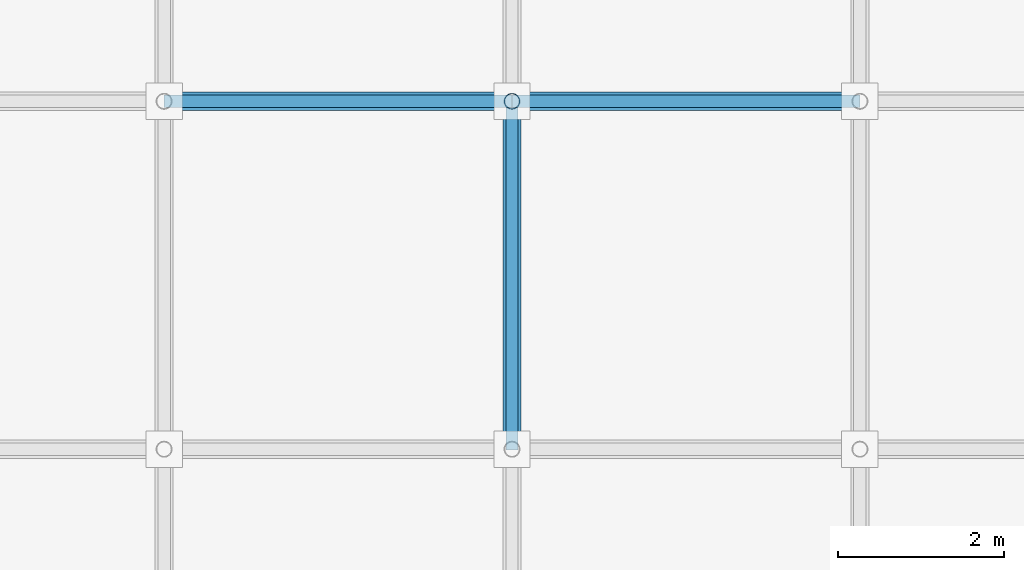
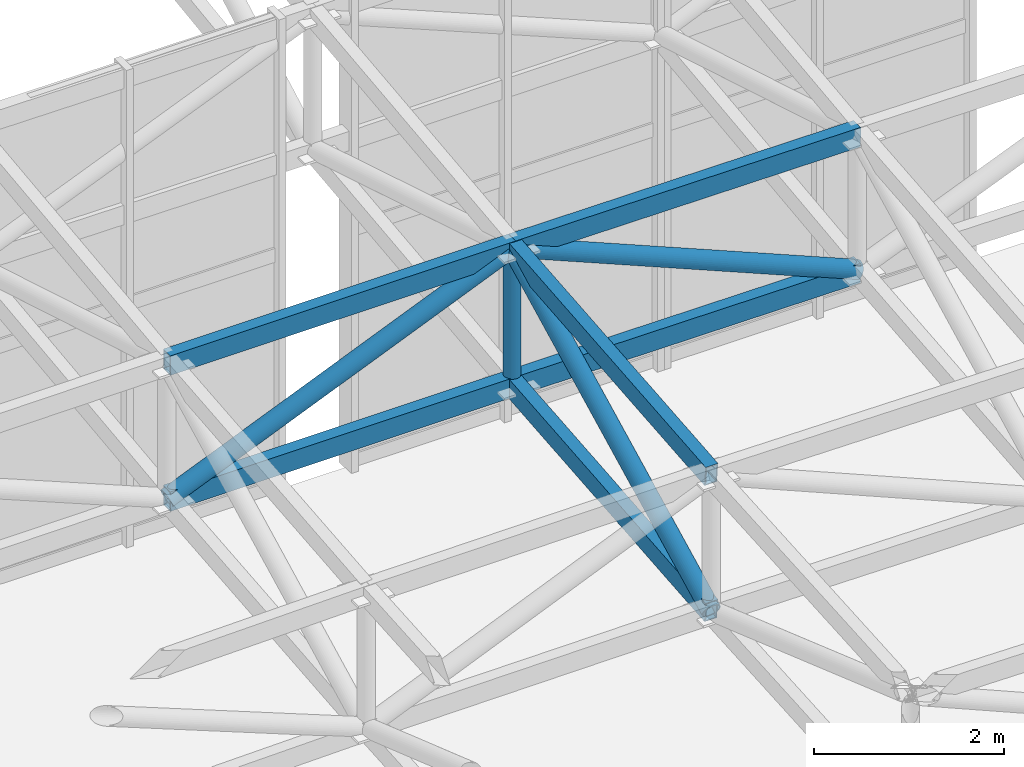
# One storey, part 29 of 132: 10 members.
"""IFC4 building model written with IfcOpenShell, lengths in metres."""

from ifc_helpers import new_model, si_unit, direction, frame, origin, origin_2d, place, context, subcontext, project, spatial, hollow_rectangle, hollow_circle, extrude, material, material_profile, profile_set, type_object, element, save


model = new_model("IFC4")

# Units and contexts
model_context = context("Model", 3, precision=1e-05, world=origin(), true_north=direction((0.0, 1.0)))
body_context = subcontext(model_context, "Body", "Model", "MODEL_VIEW")
ifc_project = project(units=[si_unit("LENGTHUNIT", "METRE"), si_unit("AREAUNIT", "SQUARE_METRE"), si_unit("VOLUMEUNIT", "CUBIC_METRE"), si_unit("PLANEANGLEUNIT", "RADIAN"), si_unit("MASSUNIT", "GRAM", prefix="KILO")], contexts=[model_context])

# Site, building, storey
site_placement = place(None, origin())
site = spatial("IfcSite", under=ifc_project, at=site_placement, CompositionType="ELEMENT")
building_placement = place(site_placement, origin())
building = spatial("IfcBuilding", under=site, at=building_placement, Name="Cumbredor Promenade Congress Hotel", CompositionType="ELEMENT")
storey_placement = place(building_placement, frame((0.0, 0.0, 7.56005859375)))
storey = spatial("IfcBuildingStorey", under=building, at=storey_placement, Name="L02", CompositionType="ELEMENT", Elevation=7.56005859375)

# Members
ifc_material = material(Name="Steel ASTM A500 Grade C", Category="steel")
ifc_material_profile_1 = material_profile(ifc_material, hollow_rectangle(XDim=0.14990234375, YDim=0.25, WallThickness=0.012451171875, at=origin_2d()), Name="HSS 250x150x12.5")
ifc_profile_set_1 = profile_set([ifc_material_profile_1], Name="Steel ASTM A500 Grade C")
member_type_1 = type_object("IfcMemberType", Name="Spa Roof Space Frame Chord", PredefinedType="CHORD", material=ifc_profile_set_1)
for number, where, z_axis, x_axis, name in (
    (1, (88.199951171875, 46.199951171875, 5.510009765625), (0.999997810398, 0.0, 0.002092653675), (0.0, 1.0, 0.0), "Thermal Spa and Hydrotherapy Pavilion X Top Chord 5.12"),
    (2, (88.199951171875, 46.199951171875, 3.760009765625), (0.999997810398, 0.0, 0.002092653675), (0.0, 1.0, 0.0), "Thermal Spa and Hydrotherapy Pavilion X Bottom Chord 5.12"),
):
    element("IfcMember", number, at=place(storey_placement, frame(where, z_axis=z_axis, x_axis=x_axis)), inside=storey, type_object=member_type_1, Name=name, PredefinedType="CHORD", context=body_context, shape_type="SweptSolid", body=[
        extrude(hollow_rectangle(XDim=0.14990234375, YDim=0.25, WallThickness=0.012451171875, at=origin_2d()), origin(), (0.0, 0.0, 1.0), 4.199951171875),
    ])
for number, where, z_axis, x_axis, name in (
    (3, (92.39990234375, 46.199951171875, 5.518798828125), (0.999997810652, 0.0, -0.002092532038), (0.0, 1.0, 0.0), "Thermal Spa and Hydrotherapy Pavilion X Top Chord 6.12"),
    (4, (92.39990234375, 46.199951171875, 3.768798828125), (0.999997810652, 0.0, -0.002092532038), (0.0, 1.0, 0.0), "Thermal Spa and Hydrotherapy Pavilion X Bottom Chord 6.12"),
):
    element("IfcMember", number, at=place(storey_placement, frame(where, z_axis=z_axis, x_axis=x_axis)), inside=storey, type_object=member_type_1, Name=name, PredefinedType="CHORD", context=body_context, shape_type="SweptSolid", body=[
        extrude(hollow_rectangle(XDim=0.14990234375, YDim=0.25, WallThickness=0.012451171875, at=origin_2d()), origin(), (0.0, 0.0, 1.0), 4.2001953125),
    ])
for number, where, z_axis, x_axis, name in (
    (5, (92.39990234375, 42.0, 5.140625), (0.0, 0.995970664811, 0.089679623309), (-1.0, 0.0, 0.0), "Thermal Spa and Hydrotherapy Pavilion Y Top Chord 6.11"),
    (6, (92.39990234375, 42.0, 3.390625), (0.0, 0.995970664811, 0.089679623309), (-1.0, 0.0, 0.0), "Thermal Spa and Hydrotherapy Pavilion Y Bottom Chord 6.11"),
):
    element("IfcMember", number, at=place(storey_placement, frame(where, z_axis=z_axis, x_axis=x_axis)), inside=storey, type_object=member_type_1, Name=name, PredefinedType="CHORD", context=body_context, shape_type="SweptSolid", body=[
        extrude(hollow_rectangle(XDim=0.14990234375, YDim=0.25, WallThickness=0.012451171875, at=origin_2d()), origin(), (0.0, 0.0, 1.0), 4.217041015625),
    ])
ifc_material_profile_2 = material_profile(ifc_material, hollow_circle(Radius=0.109619140625, WallThickness=0.012451171875, at=origin_2d()), Name="CHS 219.1x12.5")
ifc_profile_set_2 = profile_set([ifc_material_profile_2], Name="Steel ASTM A500 Grade C")
member_type_2 = type_object("IfcMemberType", Name="Space Frame Web Diagonal D1", PredefinedType="BRACE", material=ifc_profile_set_2)
member_1_placement = place(storey_placement, frame((88.199951171875, 46.199951171875, 3.760009765625), z_axis=(0.922388570969, 0.0, 0.386263283454), x_axis=(0.0, 1.0, 0.0)))
element("IfcMember", 7, at=member_1_placement, inside=storey, type_object=member_type_2, Name="Thermal Spa and Hydrotherapy Pavilion X Web Diagonal 5.12", PredefinedType="BRACE", context=body_context, shape_type="SweptSolid", body=[
    extrude(hollow_circle(Radius=0.109619140625, WallThickness=0.012451171875, at=origin_2d()), origin(), (0.0, 0.0, 1.0), 4.55322265625),
])
member_2_placement = place(storey_placement, frame((92.39990234375, 46.199951171875, 5.518798828125), z_axis=(0.922396570129, 0.0, -0.386244181075), x_axis=(0.0, 1.0, 0.0)))
element("IfcMember", 8, at=member_2_placement, inside=storey, type_object=member_type_2, Name="Thermal Spa and Hydrotherapy Pavilion X Web Diagonal 6.12", PredefinedType="BRACE", context=body_context, shape_type="SweptSolid", body=[
    extrude(hollow_circle(Radius=0.109619140625, WallThickness=0.012451171875, at=origin_2d()), origin(), (0.0, 0.0, 1.0), 4.553466796875),
])
member_3_placement = place(storey_placement, frame((92.39990234375, 42.0, 3.390625), z_axis=(0.0, 0.892018772411, 0.451998351398), x_axis=(-1.0, 0.0, 0.0)))
element("IfcMember", 9, at=member_3_placement, inside=storey, type_object=member_type_2, Name="Thermal Spa and Hydrotherapy Pavilion Y Web Diagonal 6.11", PredefinedType="BRACE", context=body_context, shape_type="SweptSolid", body=[
    extrude(hollow_circle(Radius=0.109619140625, WallThickness=0.012451171875, at=origin_2d()), origin(), (0.0, 0.0, 1.0), 4.708251953125),
])
ifc_material_profile_3 = material_profile(ifc_material, hollow_circle(Radius=0.096923828125, WallThickness=0.010009765625, at=origin_2d()), Name="CHS 193.7x10")
ifc_profile_set_3 = profile_set([ifc_material_profile_3], Name="Steel ASTM A500 Grade C")
member_type_3 = type_object("IfcMemberType", Name="Space Frame Web Post P1", PredefinedType="BRACE", material=ifc_profile_set_3)
member_4_placement = place(storey_placement, frame((92.39990234375, 46.199951171875, 3.768798828125), z_axis=(0.0, 0.0, 1.0), x_axis=(1.0, 0.0, 0.0)))
element("IfcMember", 10, at=member_4_placement, inside=storey, type_object=member_type_3, Name="Thermal Spa and Hydrotherapy Pavilion Space Frame Web Post 6.12", PredefinedType="BRACE", context=body_context, shape_type="SweptSolid", body=[
    extrude(hollow_circle(Radius=0.096923828125, WallThickness=0.010009765625, at=origin_2d()), origin(), (0.0, 0.0, 1.0), 1.75),
])

save(model, "model.ifc")
